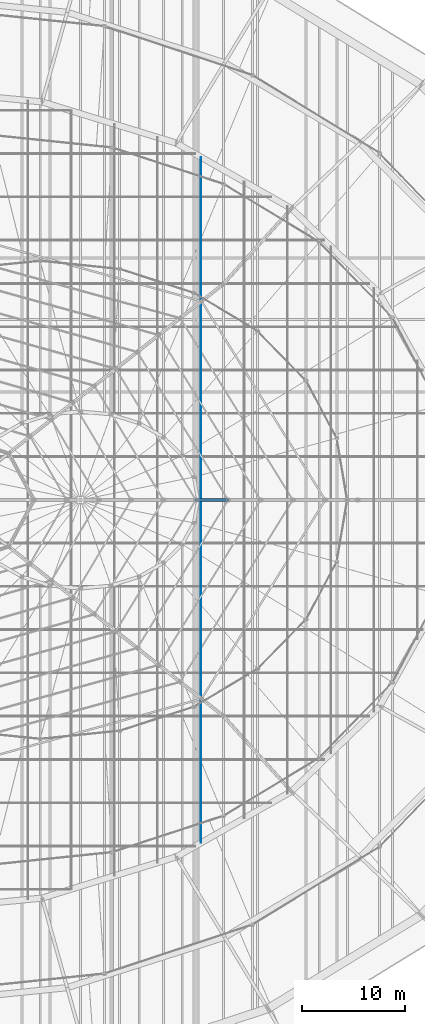
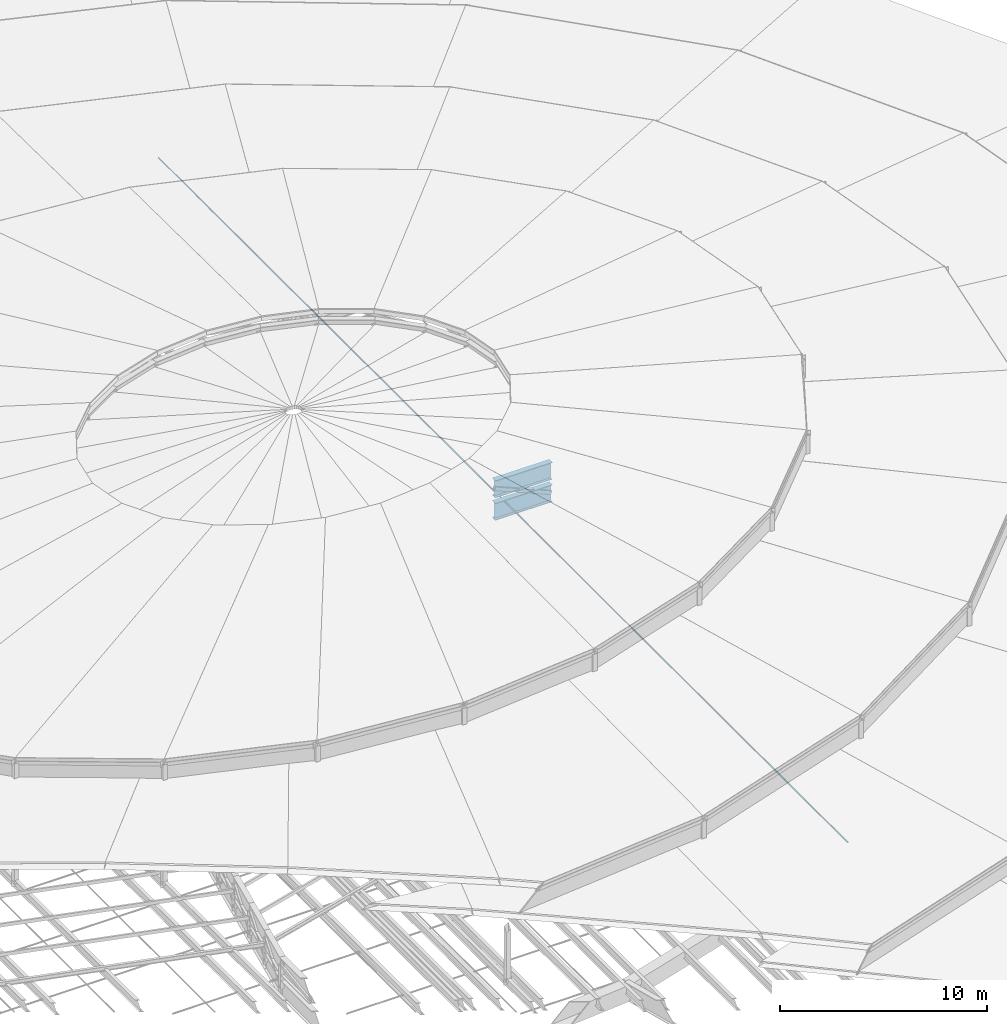
# One storey, part 84 of 184: 2 beams, 2 members.
"""IFC4 building model written with IfcOpenShell, lengths in metres."""

from ifc_helpers import new_model, si_unit, direction, frame, origin, origin_2d, place, context, subcontext, project, spatial, hollow_rectangle, circle, i_section, extrude, material, material_profile, profile_set, type_object, element, save


model = new_model("IFC4")

# Units and contexts
model_context = context("Model", 3, precision=1e-05, world=origin(), true_north=direction((0.0, 1.0)))
body_context = subcontext(model_context, "Body", "Model", "MODEL_VIEW")
ifc_project = project(units=[si_unit("LENGTHUNIT", "METRE"), si_unit("AREAUNIT", "SQUARE_METRE"), si_unit("VOLUMEUNIT", "CUBIC_METRE"), si_unit("PLANEANGLEUNIT", "RADIAN"), si_unit("MASSUNIT", "GRAM", prefix="KILO")], contexts=[model_context])

# Site, building, storey
site_placement = place(None, origin())
site = spatial("IfcSite", under=ifc_project, at=site_placement, CompositionType="ELEMENT")
building_placement = place(site_placement, origin())
building = spatial("IfcBuilding", under=site, at=building_placement, Name="Kalgoora Escarpment Arena", CompositionType="ELEMENT")
storey_placement = place(building_placement, frame((0.0, 0.0, 27.60009765625)))
storey = spatial("IfcBuildingStorey", under=building, at=storey_placement, Name="Roof Level", CompositionType="ELEMENT", Elevation=27.60009765625)

# Beams
ifc_material_1 = material(Name="Structural steel Grade 350 (350 MPa)", Category="steel")
ifc_material_profile_1 = material_profile(ifc_material_1, i_section(OverallWidth=0.300048828125, OverallDepth=1.010009765625, WebThickness=0.01611328125, FlangeThickness=0.030029296875, at=origin_2d()))
ifc_profile_set_1 = profile_set([ifc_material_profile_1], Name="Structural steel Grade 350 (350 MPa)")
beam_type = type_object("IfcBeamType", Name="BM-TRUSS-CHORD", PredefinedType="USERDEFINED", material=ifc_profile_set_1)
for number, where, z_axis, x_axis, name in (
    (1, (124.451904296875, 64.0, -1.630126953125), (-0.999998687, 0.0, 0.001620493281), (0.0, -1.0, 0.0), "Radial ROOF TRUSS spine 1 bottom chord 6"),
    (2, (124.451904296875, 64.0, -0.31005859375), (-0.999994995145, 0.0, 0.003163808535), (0.0, -1.0, 0.0), "Radial ROOF TRUSS spine 1 top chord 6"),
):
    element("IfcBeam", number, at=place(storey_placement, frame(where, z_axis=z_axis, x_axis=x_axis)), inside=storey, type_object=beam_type, Name=name, ObjectType="GIRDER", PredefinedType="USERDEFINED", context=body_context, shape_type="SweptSolid", body=[
        extrude(i_section(OverallWidth=0.300048828125, OverallDepth=1.010009765625, WebThickness=0.01611328125, FlangeThickness=0.030029296875, at=origin_2d()), origin(), (0.0, 0.0, 1.0), 3.163818359375),
    ])

# Members
ifc_material_2 = material(Name="High-tensile spiral strand steel Grade 450 (350 MPa)", Category="steel")
ifc_material_profile_2 = material_profile(ifc_material_2, circle(Radius=0.028076171875, at=origin_2d()))
ifc_profile_set_2 = profile_set([ifc_material_profile_2], Name="High-tensile spiral strand steel Grade 450 (350 MPa)")
member_type_1 = type_object("IfcMemberType", Name="MEM-CABLE-56", PredefinedType="USERDEFINED", material=ifc_profile_set_2)
member_1_placement = place(storey_placement, frame((121.800048828125, 30.72314453125, -1.190185546875), z_axis=(0.0, 1.0, 0.0), x_axis=(-1.0, 0.0, 0.0)))
element("IfcMember", 3, at=member_1_placement, inside=storey, type_object=member_type_1, Name="Roof saddle pretensioning cable Y-37", ObjectType="CABLE", PredefinedType="USERDEFINED", context=body_context, shape_type="SweptSolid", body=[
    extrude(circle(Radius=0.028076171875, at=origin_2d()), origin(), (0.0, 0.0, 1.0), 66.5537109375),
])
ifc_material_3 = material(Name="Structural steel C350 (350 MPa)", Category="steel")
ifc_material_profile_3 = material_profile(ifc_material_3, hollow_rectangle(XDim=0.199951171875, YDim=0.199951171875, WallThickness=0.009033203125, at=origin_2d()))
ifc_profile_set_3 = profile_set([ifc_material_profile_3], Name="Structural steel C350 (350 MPa)")
member_type_2 = type_object("IfcMemberType", Name="MEM-TRUSS-DIAG", PredefinedType="BRACE", material=ifc_profile_set_3)
member_2_placement = place(storey_placement, frame((124.43994140625, 64.0, -1.630126953125), z_axis=(-0.920792256375, 0.0, 0.390053356094), x_axis=(0.0, 1.0, 0.0)))
element("IfcMember", 4, at=member_2_placement, inside=storey, type_object=member_type_2, Name="Radial ROOF TRUSS spine 1 web diagonal 6", PredefinedType="BRACE", context=body_context, shape_type="SweptSolid", body=[
    extrude(hollow_rectangle(XDim=0.199951171875, YDim=0.199951171875, WallThickness=0.009033203125, at=origin_2d()), origin(), (0.0, 0.0, 1.0), 3.409912109375),
])

save(model, "model.ifc")
